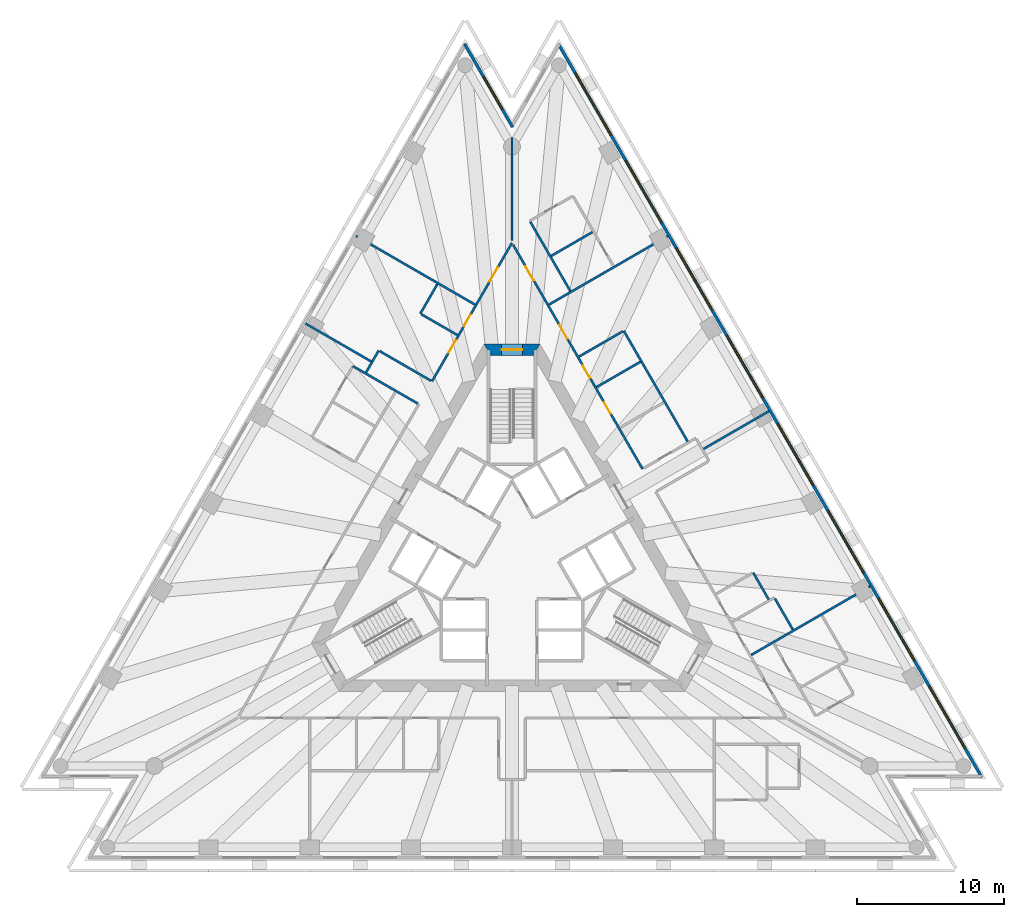
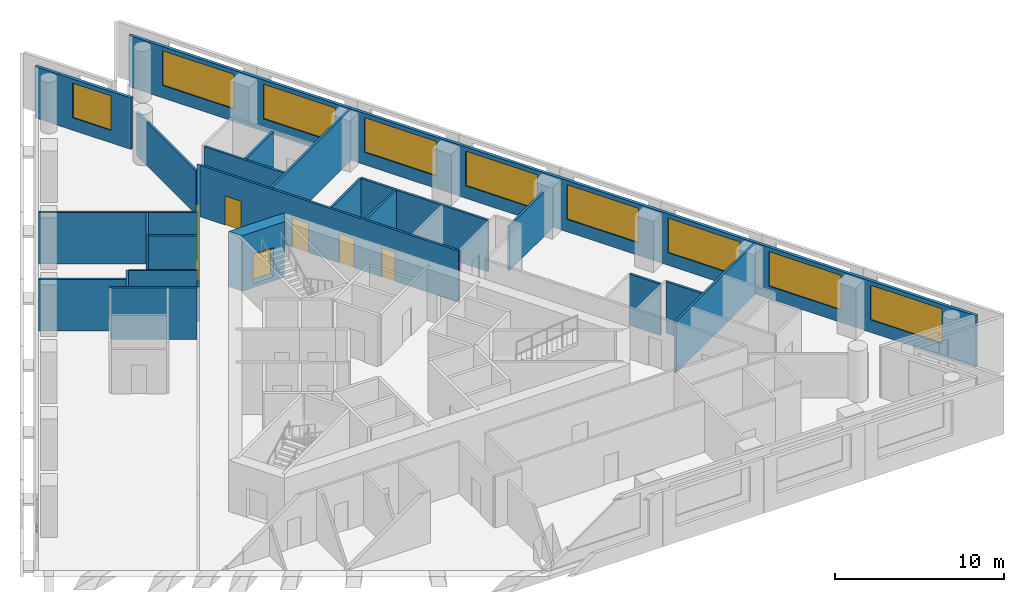
# One storey, part 6 of 10: 23 walls, 9 windows, 8 doors, 17 openings.
"""IFC4 building model written with IfcOpenShell, lengths in metres."""

from ifc_helpers import new_model, si_unit, direction, frame, frame_2d, origin, place, context, subcontext, project, spatial, polyline, rectangle, outline, extrude, material, layer, layer_set, layer_usage, type_object, element, fill, save


model = new_model("IFC4")

# Units and contexts
model_context = context("Model", 3, precision=1e-05, world=origin(), true_north=direction((0.0, 1.0)))
body_context = subcontext(model_context, "Body", "Model", "MODEL_VIEW")
ifc_project = project(units=[si_unit("LENGTHUNIT", "METRE"), si_unit("AREAUNIT", "SQUARE_METRE"), si_unit("VOLUMEUNIT", "CUBIC_METRE"), si_unit("PLANEANGLEUNIT", "RADIAN"), si_unit("MASSUNIT", "GRAM", prefix="KILO")], contexts=[model_context])

# Site, building, storey
site_placement = place(None, origin())
site = spatial("IfcSite", under=ifc_project, at=site_placement, CompositionType="ELEMENT")
building_placement = place(site_placement, origin())
building = spatial("IfcBuilding", under=site, at=building_placement, Name="Triada Interchange Tower", CompositionType="ELEMENT")
storey_placement = place(building_placement, frame((0.0, 0.0, 124.300048828125)))
storey = spatial("IfcBuildingStorey", under=building, at=storey_placement, Name="L28", CompositionType="ELEMENT", Elevation=124.300048828125)

# Wall, opening, door
ifc_material_1 = material(Name="Concrete C60/75", Category="concrete")
ifc_layer_1 = layer(ifc_material_1, 0.800048828125)
ifc_layer_set_1 = layer_set([ifc_layer_1], Name="Core wall B 800")
wall_type_1 = type_object("IfcWallType", Name="Core wall B 800", PredefinedType="SHEAR", material=ifc_layer_set_1)
wall_1_placement = place(storey_placement, frame((1.674072265625, 14.300048828125, -0.300048828125), z_axis=(0.0, 0.0, 1.0), x_axis=(-1.0, 0.0, 0.0)))
wall_1 = element("IfcWall", 1, at=wall_1_placement, inside=storey, type_object=wall_type_1, Name="Core wall WB01 L28", PredefinedType="SHEAR", context=body_context, shape_type="SweptSolid", body=[
    extrude(outline(polyline([(-0.23095703125, -0.39990234375), (1.674072265625, -0.39990234375), (3.5791015625, -0.39990234375), (3.116943359375, 0.39990234375), (1.673828125, 0.39990234375), (0.23095703125, 0.39990234375), (-0.23095703125, -0.39990234375)])), origin(), (0.0, 0.0, 1.0), 4.0),
])
opening_1_placement = place(wall_1_placement, frame((0.97412109375, 0.0, 0.300048828125)))
opening_1 = element("IfcOpeningElement", 2, at=opening_1_placement, cuts=wall_1, Name="Opening D26-41", PredefinedType="OPENING", context=body_context, shape_type="SweptSolid", body=[
    extrude(rectangle(XDim=1.39990234375, YDim=2.10009765625, at=frame_2d((0.699951171875, 1.050048828125))), frame((0.0, 0.409912109375, 0.0), z_axis=(0.0, -1.0, 0.0), x_axis=(1.0, 0.0, 0.0)), (0.0, 0.0, 1.0), 0.820068359375),
])
ifc_material_2 = material(Name="Steel S235 door leaf", Category="steel")
door_type_1 = type_object("IfcDoorType", Name="STAIR DOOR 1400 EI2 90-C5S200", OperationType="DOUBLE_DOOR_SINGLE_SWING", PredefinedType="DOOR", material=ifc_material_2)
door_1_placement = place(opening_1_placement, origin())
door_1 = element("IfcDoor", 3, at=door_1_placement, inside=storey, type_object=door_type_1, Name="Door D26-41 L28", OperationType="DOUBLE_DOOR_SINGLE_SWING", OverallHeight=2.10009765625, OverallWidth=1.39990234375, PredefinedType="DOOR", context=body_context, shape_type="SweptSolid", body=[
    extrude(rectangle(XDim=1.39990234375, YDim=2.10009765625, at=frame_2d((0.699951171875, 1.050048828125))), frame((0.0, 0.02490234375, 0.0), z_axis=(0.0, -1.0, 0.0), x_axis=(1.0, 0.0, 0.0)), (0.0, 0.0, 1.0), 0.050048828125),
])
fill(opening_1, door_1)

# Wall, openings, windows
ifc_material_3 = material(Name="Cement board")
ifc_layer_2 = layer(ifc_material_3, 0.02001953125, Name="Cement board cladding")
ifc_material_4 = material(Name="Sheathing board")
ifc_layer_3 = layer(ifc_material_4, 0.014892578125, Name="Sheathing board")
ifc_material_5 = material(Name="Mineral wool")
ifc_layer_4 = layer(ifc_material_5, 0.14990234375, Name="Mineral wool between steel studs")
ifc_material_6 = material(Name="Gypsum board")
ifc_layer_5 = layer(ifc_material_6, 0.014892578125, Name="Plasterboard lining")
ifc_layer_set_2 = layer_set([ifc_layer_2, ifc_layer_3, ifc_layer_4, ifc_layer_5], Name="External wall 200")
ifc_layer_usage = layer_usage(ifc_layer_set_2, "AXIS2", "POSITIVE", -0.10009765625)
wall_type_2 = type_object("IfcWallType", Name="External wall 200", PredefinedType="ELEMENTEDWALL", material=ifc_layer_set_2)
wall_2_placement = place(storey_placement, frame((32.048095703125, -14.861083984375, 0.0), z_axis=(0.0, 0.0, 1.0), x_axis=(-0.499996704161, 0.866027306629, 0.0)))
wall_2 = element("IfcWall", 4, at=wall_2_placement, inside=storey, type_object=wall_type_2, material=ifc_layer_usage, Name="External wall L28 NE", PredefinedType="ELEMENTEDWALL", context=body_context, shape_type="SweptSolid", body=[
    extrude(rectangle(XDim=57.7685546875, YDim=0.199951171875, at=frame_2d((28.88427734375, 0.0))), origin(), (0.0, 0.0, 1.0), 3.699951171875),
])
opening_2_placement = place(wall_2_placement, frame((2.302001953125, 0.0, 0.89990234375)))
opening_2 = element("IfcOpeningElement", 5, at=opening_2_placement, cuts=wall_2, Name="Opening WB21", PredefinedType="OPENING", context=body_context, shape_type="SweptSolid", body=[
    extrude(rectangle(XDim=4.89990234375, YDim=2.5, at=frame_2d((2.449951171875, 1.25))), frame((0.0, 0.10986328125, 0.0), z_axis=(0.0, -1.0, 0.0), x_axis=(1.0, 0.0, 0.0)), (0.0, 0.0, 1.0), 0.219970703125),
])
opening_3_placement = place(wall_2_placement, frame((9.198974609375, 0.0, 0.89990234375)))
opening_3 = element("IfcOpeningElement", 6, at=opening_3_placement, cuts=wall_2, Name="Opening WB22", PredefinedType="OPENING", context=body_context, shape_type="SweptSolid", body=[
    extrude(rectangle(XDim=4.89990234375, YDim=2.5, at=frame_2d((2.449951171875, 1.25))), frame((0.0, 0.10986328125, 0.0), z_axis=(0.0, -1.0, 0.0), x_axis=(1.0, 0.0, 0.0)), (0.0, 0.0, 1.0), 0.219970703125),
])
opening_4_placement = place(wall_2_placement, frame((16.096923828125, 0.0, 0.89990234375)))
opening_4 = element("IfcOpeningElement", 7, at=opening_4_placement, cuts=wall_2, Name="Opening WB23", PredefinedType="OPENING", context=body_context, shape_type="SweptSolid", body=[
    extrude(rectangle(XDim=4.89990234375, YDim=2.5, at=frame_2d((2.449951171875, 1.25))), frame((0.0, 0.10986328125, 0.0), z_axis=(0.0, -1.0, 0.0), x_axis=(1.0, 0.0, 0.0)), (0.0, 0.0, 1.0), 0.219970703125),
])
opening_5_placement = place(wall_2_placement, frame((22.9951171875, 0.0, 0.89990234375)))
opening_5 = element("IfcOpeningElement", 8, at=opening_5_placement, cuts=wall_2, Name="Opening WB24", PredefinedType="OPENING", context=body_context, shape_type="SweptSolid", body=[
    extrude(rectangle(XDim=4.89990234375, YDim=2.5, at=frame_2d((2.449951171875, 1.25))), frame((0.0, 0.10986328125, 0.0), z_axis=(0.0, -1.0, 0.0), x_axis=(1.0, 0.0, 0.0)), (0.0, 0.0, 1.0), 0.219970703125),
])
opening_6_placement = place(wall_2_placement, frame((29.89306640625, 0.0, 0.89990234375)))
opening_6 = element("IfcOpeningElement", 9, at=opening_6_placement, cuts=wall_2, Name="Opening WB25", PredefinedType="OPENING", context=body_context, shape_type="SweptSolid", body=[
    extrude(rectangle(XDim=4.89990234375, YDim=2.5, at=frame_2d((2.449951171875, 1.25))), frame((0.0, 0.10986328125, 0.0), z_axis=(0.0, -1.0, 0.0), x_axis=(1.0, 0.0, 0.0)), (0.0, 0.0, 1.0), 0.219970703125),
])
opening_7_placement = place(wall_2_placement, frame((36.791015625, 0.0, 0.89990234375)))
opening_7 = element("IfcOpeningElement", 10, at=opening_7_placement, cuts=wall_2, Name="Opening WB26", PredefinedType="OPENING", context=body_context, shape_type="SweptSolid", body=[
    extrude(rectangle(XDim=4.89990234375, YDim=2.5, at=frame_2d((2.449951171875, 1.25))), frame((0.0, 0.10986328125, 0.0), z_axis=(0.0, -1.0, 0.0), x_axis=(1.0, 0.0, 0.0)), (0.0, 0.0, 1.0), 0.219970703125),
])
opening_8_placement = place(wall_2_placement, frame((43.68896484375, 0.0, 0.89990234375)))
opening_8 = element("IfcOpeningElement", 11, at=opening_8_placement, cuts=wall_2, Name="Opening WB27", PredefinedType="OPENING", context=body_context, shape_type="SweptSolid", body=[
    extrude(rectangle(XDim=4.89990234375, YDim=2.5, at=frame_2d((2.449951171875, 1.25))), frame((0.0, 0.10986328125, 0.0), z_axis=(0.0, -1.0, 0.0), x_axis=(1.0, 0.0, 0.0)), (0.0, 0.0, 1.0), 0.219970703125),
])
opening_9_placement = place(wall_2_placement, frame((50.5869140625, 0.0, 0.89990234375)))
opening_9 = element("IfcOpeningElement", 12, at=opening_9_placement, cuts=wall_2, Name="Opening WB28", PredefinedType="OPENING", context=body_context, shape_type="SweptSolid", body=[
    extrude(rectangle(XDim=4.89990234375, YDim=2.5, at=frame_2d((2.449951171875, 1.25))), frame((0.0, 0.10986328125, 0.0), z_axis=(0.0, -1.0, 0.0), x_axis=(1.0, 0.0, 0.0)), (0.0, 0.0, 1.0), 0.219970703125),
])
ifc_material_7 = material(Name="Double glazed aluminium window", Category="aluminium")
window_type_1 = type_object("IfcWindowType", Name="Ribbon window B face", PartitioningType="SINGLE_PANEL", PredefinedType="WINDOW", material=ifc_material_7)
window_1_placement = place(opening_2_placement, origin())
window_1 = element("IfcWindow", 13, at=window_1_placement, inside=storey, type_object=window_type_1, Name="Window L28 NE 1", OverallHeight=2.5, OverallWidth=4.89990234375, PartitioningType="SINGLE_PANEL", PredefinedType="WINDOW", context=body_context, shape_type="SweptSolid", body=[
    extrude(rectangle(XDim=4.89990234375, YDim=2.5, at=frame_2d((2.449951171875, 1.25))), frame((0.0, 0.030029296875, 0.0), z_axis=(0.0, -1.0, 0.0), x_axis=(1.0, 0.0, 0.0)), (0.0, 0.0, 1.0), 0.06005859375),
])
fill(opening_2, window_1)
window_2_placement = place(opening_3_placement, origin())
window_2 = element("IfcWindow", 14, at=window_2_placement, inside=storey, type_object=window_type_1, Name="Window L28 NE 2", OverallHeight=2.5, OverallWidth=4.89990234375, PartitioningType="SINGLE_PANEL", PredefinedType="WINDOW", context=body_context, shape_type="SweptSolid", body=[
    extrude(rectangle(XDim=4.89990234375, YDim=2.5, at=frame_2d((2.449951171875, 1.25))), frame((0.0, 0.030029296875, 0.0), z_axis=(0.0, -1.0, 0.0), x_axis=(1.0, 0.0, 0.0)), (0.0, 0.0, 1.0), 0.06005859375),
])
fill(opening_3, window_2)
window_3_placement = place(opening_4_placement, origin())
window_3 = element("IfcWindow", 15, at=window_3_placement, inside=storey, type_object=window_type_1, Name="Window L28 NE 3", OverallHeight=2.5, OverallWidth=4.89990234375, PartitioningType="SINGLE_PANEL", PredefinedType="WINDOW", context=body_context, shape_type="SweptSolid", body=[
    extrude(rectangle(XDim=4.89990234375, YDim=2.5, at=frame_2d((2.449951171875, 1.25))), frame((0.0, 0.030029296875, 0.0), z_axis=(0.0, -1.0, 0.0), x_axis=(1.0, 0.0, 0.0)), (0.0, 0.0, 1.0), 0.06005859375),
])
fill(opening_4, window_3)
window_4_placement = place(opening_5_placement, origin())
window_4 = element("IfcWindow", 16, at=window_4_placement, inside=storey, type_object=window_type_1, Name="Window L28 NE 4", OverallHeight=2.5, OverallWidth=4.89990234375, PartitioningType="SINGLE_PANEL", PredefinedType="WINDOW", context=body_context, shape_type="SweptSolid", body=[
    extrude(rectangle(XDim=4.89990234375, YDim=2.5, at=frame_2d((2.449951171875, 1.25))), frame((0.0, 0.030029296875, 0.0), z_axis=(0.0, -1.0, 0.0), x_axis=(1.0, 0.0, 0.0)), (0.0, 0.0, 1.0), 0.06005859375),
])
fill(opening_5, window_4)
window_5_placement = place(opening_6_placement, origin())
window_5 = element("IfcWindow", 17, at=window_5_placement, inside=storey, type_object=window_type_1, Name="Window L28 NE 5", OverallHeight=2.5, OverallWidth=4.89990234375, PartitioningType="SINGLE_PANEL", PredefinedType="WINDOW", context=body_context, shape_type="SweptSolid", body=[
    extrude(rectangle(XDim=4.89990234375, YDim=2.5, at=frame_2d((2.449951171875, 1.25))), frame((0.0, 0.030029296875, 0.0), z_axis=(0.0, -1.0, 0.0), x_axis=(1.0, 0.0, 0.0)), (0.0, 0.0, 1.0), 0.06005859375),
])
fill(opening_6, window_5)
window_6_placement = place(opening_7_placement, origin())
window_6 = element("IfcWindow", 18, at=window_6_placement, inside=storey, type_object=window_type_1, Name="Window L28 NE 6", OverallHeight=2.5, OverallWidth=4.89990234375, PartitioningType="SINGLE_PANEL", PredefinedType="WINDOW", context=body_context, shape_type="SweptSolid", body=[
    extrude(rectangle(XDim=4.89990234375, YDim=2.5, at=frame_2d((2.449951171875, 1.25))), frame((0.0, 0.030029296875, 0.0), z_axis=(0.0, -1.0, 0.0), x_axis=(1.0, 0.0, 0.0)), (0.0, 0.0, 1.0), 0.06005859375),
])
fill(opening_7, window_6)
window_7_placement = place(opening_8_placement, origin())
window_7 = element("IfcWindow", 19, at=window_7_placement, inside=storey, type_object=window_type_1, Name="Window L28 NE 7", OverallHeight=2.5, OverallWidth=4.89990234375, PartitioningType="SINGLE_PANEL", PredefinedType="WINDOW", context=body_context, shape_type="SweptSolid", body=[
    extrude(rectangle(XDim=4.89990234375, YDim=2.5, at=frame_2d((2.449951171875, 1.25))), frame((0.0, 0.030029296875, 0.0), z_axis=(0.0, -1.0, 0.0), x_axis=(1.0, 0.0, 0.0)), (0.0, 0.0, 1.0), 0.06005859375),
])
fill(opening_8, window_7)
window_8_placement = place(opening_9_placement, origin())
window_8 = element("IfcWindow", 20, at=window_8_placement, inside=storey, type_object=window_type_1, Name="Window L28 NE 8", OverallHeight=2.5, OverallWidth=4.89990234375, PartitioningType="SINGLE_PANEL", PredefinedType="WINDOW", context=body_context, shape_type="SweptSolid", body=[
    extrude(rectangle(XDim=4.89990234375, YDim=2.5, at=frame_2d((2.449951171875, 1.25))), frame((0.0, 0.030029296875, 0.0), z_axis=(0.0, -1.0, 0.0), x_axis=(1.0, 0.0, 0.0)), (0.0, 0.0, 1.0), 0.06005859375),
])
fill(opening_9, window_8)

# Wall, opening, window
wall_3_placement = place(storey_placement, frame((0.044921875, 29.487060546875, 0.0), z_axis=(0.0, 0.0, 1.0), x_axis=(-0.499878187048, 0.866095721103, 0.0)))
wall_3 = element("IfcWall", 21, at=wall_3_placement, inside=storey, type_object=wall_type_2, material=ifc_layer_usage, Name="External wall L28 N-2", PredefinedType="ELEMENTEDWALL", context=body_context, shape_type="SweptSolid", body=[
    extrude(rectangle(XDim=6.559326171875, YDim=0.199951171875, at=frame_2d((3.27978515625, 0.0))), origin(), (0.0, 0.0, 1.0), 3.699951171875),
])
opening_10_placement = place(wall_3_placement, frame((1.389892578125, 0.0, 0.89990234375)))
opening_10 = element("IfcOpeningElement", 22, at=opening_10_placement, cuts=wall_3, Name="Opening WB30", PredefinedType="OPENING", context=body_context, shape_type="SweptSolid", body=[
    extrude(rectangle(XDim=2.60009765625, YDim=2.5, at=frame_2d((1.300048828125, 1.25))), frame((0.0, 0.10986328125, 0.0), z_axis=(0.0, -1.0, 0.0), x_axis=(1.0, 0.0, 0.0)), (0.0, 0.0, 1.0), 0.219970703125),
])
window_type_2 = type_object("IfcWindowType", Name="Ribbon window B pocket", PartitioningType="SINGLE_PANEL", PredefinedType="WINDOW", material=ifc_material_7)
window_9_placement = place(opening_10_placement, origin())
window_9 = element("IfcWindow", 23, at=window_9_placement, inside=storey, type_object=window_type_2, Name="Window L28 N-2 1", OverallHeight=2.5, OverallWidth=2.60009765625, PartitioningType="SINGLE_PANEL", PredefinedType="WINDOW", context=body_context, shape_type="SweptSolid", body=[
    extrude(rectangle(XDim=2.60009765625, YDim=2.5, at=frame_2d((1.300048828125, 1.25))), frame((0.0, 0.030029296875, 0.0), z_axis=(0.0, -1.0, 0.0), x_axis=(1.0, 0.0, 0.0)), (0.0, 0.0, 1.0), 0.06005859375),
])
fill(opening_10, window_9)

# Wall
ifc_material_8 = material(Name="Gypsum board partition")
ifc_layer_6 = layer(ifc_material_8, 0.14990234375)
ifc_layer_set_3 = layer_set([ifc_layer_6], Name="PARTITION 150 EI 180")
wall_type_3 = type_object("IfcWallType", Name="PARTITION 150 EI 180", PredefinedType="PARTITIONING", material=ifc_layer_set_3)
wall_4_placement = place(storey_placement, frame((13.054931640625, 7.5380859375, 0.0), z_axis=(0.0, 0.0, 1.0), x_axis=(0.866048717436, 0.499959617396, 0.0)))
element("IfcWall", 24, at=wall_4_placement, inside=storey, type_object=wall_type_3, Name="Wall L26 2", PredefinedType="PARTITIONING", context=body_context, shape_type="SweptSolid", body=[
    extrude(rectangle(XDim=5.16845703125, YDim=0.14990234375, at=frame_2d((2.584228515625, 0.0))), origin(), (0.0, 0.0, 1.0), 3.199951171875),
])

# Wall, openings, doors
wall_5_placement = place(storey_placement, frame((-5.4541015625, 12.154052734375, 0.0), z_axis=(0.0, 0.0, 1.0), x_axis=(0.500029221456, 0.866008532111, 0.0)))
wall_5 = element("IfcWall", 25, at=wall_5_placement, inside=storey, type_object=wall_type_3, Name="Wall L26 6", PredefinedType="PARTITIONING", context=body_context, shape_type="SweptSolid", body=[
    extrude(rectangle(XDim=10.907470703125, YDim=0.14990234375, at=frame_2d((5.45361328125, 0.0))), origin(), (0.0, 0.0, 1.0), 3.699951171875),
])
opening_11_placement = place(wall_5_placement, frame((7.85693359375, 0.0, 0.0)))
opening_11 = element("IfcOpeningElement", 26, at=opening_11_placement, cuts=wall_5, Name="Opening D26-34", PredefinedType="OPENING", context=body_context, shape_type="SweptSolid", body=[
    extrude(rectangle(XDim=1.10009765625, YDim=2.10009765625, at=frame_2d((0.550048828125, 1.050048828125))), frame((0.0, 0.0849609375, 0.0), z_axis=(0.0, -1.0, 0.0), x_axis=(1.0, 0.0, 0.0)), (0.0, 0.0, 1.0), 0.169921875),
])
opening_12_placement = place(wall_5_placement, frame((2.248046875, 0.0, 0.0)))
opening_12 = element("IfcOpeningElement", 27, at=opening_12_placement, cuts=wall_5, Name="Opening D26-35", PredefinedType="OPENING", context=body_context, shape_type="SweptSolid", body=[
    extrude(rectangle(XDim=1.0, YDim=2.10009765625, at=frame_2d((0.5, 1.050048828125))), frame((0.0, 0.0849609375, 0.0), z_axis=(0.0, -1.0, 0.0), x_axis=(1.0, 0.0, 0.0)), (0.0, 0.0, 1.0), 0.169921875),
])
opening_13_placement = place(wall_5_placement, frame((4.347900390625, 0.0, 0.0)))
opening_13 = element("IfcOpeningElement", 28, at=opening_13_placement, cuts=wall_5, Name="Opening D26-36", PredefinedType="OPENING", context=body_context, shape_type="SweptSolid", body=[
    extrude(rectangle(XDim=0.89990234375, YDim=2.10009765625, at=frame_2d((0.449951171875, 1.050048828125))), frame((0.0, 0.0849609375, 0.0), z_axis=(0.0, -1.0, 0.0), x_axis=(1.0, 0.0, 0.0)), (0.0, 0.0, 1.0), 0.169921875),
])
door_type_2 = type_object("IfcDoorType", Name="ROOM DOOR 1000 EI2 90-C5S200", OperationType="NOTDEFINED", PredefinedType="DOOR", material=ifc_material_2)
door_2_placement = place(opening_12_placement, origin())
door_2 = element("IfcDoor", 29, at=door_2_placement, inside=storey, type_object=door_type_2, Name="Door D26-35 L28", OperationType="SINGLE_SWING_LEFT", OverallHeight=2.10009765625, OverallWidth=1.0, PredefinedType="DOOR", context=body_context, shape_type="SweptSolid", body=[
    extrude(rectangle(XDim=1.0, YDim=2.10009765625, at=frame_2d((0.5, 1.050048828125))), frame((0.0, 0.02490234375, 0.0), z_axis=(0.0, -1.0, 0.0), x_axis=(1.0, 0.0, 0.0)), (0.0, 0.0, 1.0), 0.050048828125),
])
fill(opening_12, door_2)
door_type_3 = type_object("IfcDoorType", Name="SERVICE DOOR 900 EI2 90-C5S200", OperationType="NOTDEFINED", PredefinedType="DOOR", material=ifc_material_2)
door_3_placement = place(opening_13_placement, origin())
door_3 = element("IfcDoor", 30, at=door_3_placement, inside=storey, type_object=door_type_3, Name="Door D26-36 L28", OperationType="SINGLE_SWING_LEFT", OverallHeight=2.10009765625, OverallWidth=0.89990234375, PredefinedType="DOOR", context=body_context, shape_type="SweptSolid", body=[
    extrude(rectangle(XDim=0.89990234375, YDim=2.10009765625, at=frame_2d((0.449951171875, 1.050048828125))), frame((0.0, 0.02490234375, 0.0), z_axis=(0.0, -1.0, 0.0), x_axis=(1.0, 0.0, 0.0)), (0.0, 0.0, 1.0), 0.050048828125),
])
fill(opening_13, door_3)
door_type_4 = type_object("IfcDoorType", Name="TENANCY ENTRANCE DOOR 1100 EI2 90-C5S200", OperationType="NOTDEFINED", PredefinedType="DOOR", material=ifc_material_2)
door_4_placement = place(opening_11_placement, origin())
door_4 = element("IfcDoor", 31, at=door_4_placement, inside=storey, type_object=door_type_4, Name="Door D26-34 L28", OperationType="SINGLE_SWING_RIGHT", OverallHeight=2.10009765625, OverallWidth=1.10009765625, PredefinedType="DOOR", context=body_context, shape_type="SweptSolid", body=[
    extrude(rectangle(XDim=1.10009765625, YDim=2.10009765625, at=frame_2d((0.550048828125, 1.050048828125))), frame((0.0, 0.02490234375, 0.0), z_axis=(0.0, -1.0, 0.0), x_axis=(1.0, 0.0, 0.0)), (0.0, 0.0, 1.0), 0.050048828125),
])
fill(opening_11, door_4)

# Walls
wall_6_placement = place(storey_placement, frame((-10.85693359375, 13.194091796875, 0.0), z_axis=(0.0, 0.0, 1.0), x_axis=(0.865999895656, -0.500044178772, 0.0)))
element("IfcWall", 32, at=wall_6_placement, inside=storey, type_object=wall_type_3, Name="Wall L26 7", PredefinedType="PARTITIONING", context=body_context, shape_type="SweptSolid", body=[
    extrude(rectangle(XDim=5.12353515625, YDim=0.14990234375, at=frame_2d((2.561767578125, 0.0))), origin(), (0.0, 0.0, 1.0), 3.699951171875),
])
wall_7_placement = place(storey_placement, frame((-9.9541015625, 12.759033203125, 0.0), z_axis=(0.0, 0.0, 1.0), x_axis=(0.500232802748, 0.865890953328, 0.0)))
element("IfcWall", 33, at=wall_7_placement, inside=storey, type_object=wall_type_3, Name="Wall L26 8", PredefinedType="PARTITIONING", context=body_context, shape_type="SweptSolid", body=[
    extrude(rectangle(XDim=1.725341796875, YDim=0.14990234375, at=frame_2d((0.86279296875, 0.0))), origin(), (0.0, 0.0, 1.0), 3.699951171875),
])
wall_8_placement = place(storey_placement, frame((-14.0830078125, 16.095947265625, 0.0), z_axis=(0.0, 0.0, 1.0), x_axis=(0.866014140959, -0.500019507279, 0.0)))
element("IfcWall", 34, at=wall_8_placement, inside=storey, type_object=wall_type_3, Name="Wall L26 9", PredefinedType="PARTITIONING", context=body_context, shape_type="SweptSolid", body=[
    extrude(rectangle(XDim=5.169677734375, YDim=0.14990234375, at=frame_2d((2.5849609375, 0.0))), origin(), (0.0, 0.0, 1.0), 3.699951171875),
])
wall_9_placement = place(storey_placement, frame((-10.634033203125, 22.070068359375, 0.0), z_axis=(0.0, 0.0, 1.0), x_axis=(0.866005502057, -0.500034469219, 0.0)))
element("IfcWall", 35, at=wall_9_placement, inside=storey, type_object=wall_type_3, Name="Wall L26 12", PredefinedType="PARTITIONING", context=body_context, shape_type="SweptSolid", body=[
    extrude(rectangle(XDim=9.369384765625, YDim=0.14990234375, at=frame_2d((4.6845703125, 0.0))), origin(), (0.0, 0.0, 1.0), 3.699951171875),
])
wall_10_placement = place(storey_placement, frame((-9.02587890625, 14.216064453125, 0.0), z_axis=(0.0, 0.0, 1.0), x_axis=(0.865914407792, -0.500192201437, 0.0)))
element("IfcWall", 36, at=wall_10_placement, inside=storey, type_object=wall_type_3, Name="Wall L26 14", PredefinedType="PARTITIONING", context=body_context, shape_type="SweptSolid", body=[
    extrude(rectangle(XDim=4.048828125, YDim=0.14990234375, at=frame_2d((2.0244140625, 0.0))), origin(), (0.0, 0.0, 1.0), 3.699951171875),
])
wall_11_placement = place(storey_placement, frame((-6.2529296875, 16.76904296875, 0.0), z_axis=(0.0, 0.0, 1.0), x_axis=(0.499719423372, 0.866187334186, 0.0)))
element("IfcWall", 37, at=wall_11_placement, inside=storey, type_object=wall_type_3, Name="Wall L26 17", PredefinedType="PARTITIONING", context=body_context, shape_type="SweptSolid", body=[
    extrude(rectangle(XDim=2.324951171875, YDim=0.14990234375, at=frame_2d((1.16259765625, 0.0))), origin(), (0.0, 0.0, 1.0), 3.699951171875),
])
wall_12_placement = place(storey_placement, frame((-6.18798828125, 16.73193359375, 0.0), z_axis=(0.0, 0.0, 1.0), x_axis=(0.866004402611, -0.500036373335, 0.0)))
element("IfcWall", 38, at=wall_12_placement, inside=storey, type_object=wall_type_3, Name="Wall L26 18", PredefinedType="PARTITIONING", context=body_context, shape_type="SweptSolid", body=[
    extrude(rectangle(XDim=2.849853515625, YDim=0.14990234375, at=frame_2d((1.4248046875, 0.0))), origin(), (0.0, 0.0, 1.0), 3.699951171875),
])
wall_13_placement = place(storey_placement, frame((0.0, 21.75, 0.0), z_axis=(0.0, 0.0, 1.0), x_axis=(0.0, 1.0, 0.0)))
element("IfcWall", 39, at=wall_13_placement, inside=storey, type_object=wall_type_3, Name="Wall L26 22", PredefinedType="PARTITIONING", context=body_context, shape_type="SweptSolid", body=[
    extrude(rectangle(XDim=7.034912109375, YDim=0.14990234375, at=frame_2d((3.517578125, 0.0))), origin(), (0.0, 0.0, 1.0), 3.14990234375),
])

# Wall, openings, doors
wall_14_placement = place(storey_placement, frame((0.075927734375, 21.468017578125, 0.0), z_axis=(0.0, 0.0, 1.0), x_axis=(0.500006592492, -0.866021597574, 0.0)))
wall_14 = element("IfcWall", 40, at=wall_14_placement, inside=storey, type_object=wall_type_3, Name="Wall L26 24", PredefinedType="PARTITIONING", context=body_context, shape_type="SweptSolid", body=[
    extrude(rectangle(XDim=17.652099609375, YDim=0.14990234375, at=frame_2d((8.826171875, 0.0))), origin(), (0.0, 0.0, 1.0), 3.699951171875),
])
opening_14_placement = place(wall_14_placement, frame((6.302978515625, 0.0, 0.0)))
opening_14 = element("IfcOpeningElement", 41, at=opening_14_placement, cuts=wall_14, Name="Opening D26-27", PredefinedType="OPENING", context=body_context, shape_type="SweptSolid", body=[
    extrude(rectangle(XDim=1.10009765625, YDim=2.10009765625, at=frame_2d((0.550048828125, 1.050048828125))), frame((0.0, 0.0849609375, 0.0), z_axis=(0.0, -1.0, 0.0), x_axis=(1.0, 0.0, 0.0)), (0.0, 0.0, 1.0), 0.169921875),
])
opening_15_placement = place(wall_14_placement, frame((12.403076171875, 0.0, 0.0)))
opening_15 = element("IfcOpeningElement", 42, at=opening_15_placement, cuts=wall_14, Name="Opening D26-29", PredefinedType="OPENING", context=body_context, shape_type="SweptSolid", body=[
    extrude(rectangle(XDim=0.89990234375, YDim=2.10009765625, at=frame_2d((0.449951171875, 1.050048828125))), frame((0.0, 0.0849609375, 0.0), z_axis=(0.0, -1.0, 0.0), x_axis=(1.0, 0.0, 0.0)), (0.0, 0.0, 1.0), 0.169921875),
])
opening_16_placement = place(wall_14_placement, frame((9.5029296875, 0.0, 0.0)))
opening_16 = element("IfcOpeningElement", 43, at=opening_16_placement, cuts=wall_14, Name="Opening D26-30", PredefinedType="OPENING", context=body_context, shape_type="SweptSolid", body=[
    extrude(rectangle(XDim=1.0, YDim=2.10009765625, at=frame_2d((0.5, 1.050048828125))), frame((0.0, 0.0849609375, 0.0), z_axis=(0.0, -1.0, 0.0), x_axis=(1.0, 0.0, 0.0)), (0.0, 0.0, 1.0), 0.169921875),
])
opening_17_placement = place(wall_14_placement, frame((1.7080078125, 0.0, 0.0)))
opening_17 = element("IfcOpeningElement", 44, at=opening_17_placement, cuts=wall_14, Name="Opening D26-31", PredefinedType="OPENING", context=body_context, shape_type="SweptSolid", body=[
    extrude(rectangle(XDim=1.10009765625, YDim=2.10009765625, at=frame_2d((0.550048828125, 1.050048828125))), frame((0.0, 0.0849609375, 0.0), z_axis=(0.0, -1.0, 0.0), x_axis=(1.0, 0.0, 0.0)), (0.0, 0.0, 1.0), 0.169921875),
])
door_5_placement = place(opening_16_placement, origin())
door_5 = element("IfcDoor", 45, at=door_5_placement, inside=storey, type_object=door_type_2, Name="Door D26-30 L28", OperationType="SINGLE_SWING_RIGHT", OverallHeight=2.10009765625, OverallWidth=1.0, PredefinedType="DOOR", context=body_context, shape_type="SweptSolid", body=[
    extrude(rectangle(XDim=1.0, YDim=2.10009765625, at=frame_2d((0.5, 1.050048828125))), frame((0.0, 0.02490234375, 0.0), z_axis=(0.0, -1.0, 0.0), x_axis=(1.0, 0.0, 0.0)), (0.0, 0.0, 1.0), 0.050048828125),
])
fill(opening_16, door_5)
door_type_5 = type_object("IfcDoorType", Name="ROOM DOOR 900 EI2 90-C5S200", OperationType="NOTDEFINED", PredefinedType="DOOR", material=ifc_material_2)
door_6_placement = place(opening_15_placement, origin())
door_6 = element("IfcDoor", 46, at=door_6_placement, inside=storey, type_object=door_type_5, Name="Door D26-29 L28", OperationType="SINGLE_SWING_LEFT", OverallHeight=2.10009765625, OverallWidth=0.89990234375, PredefinedType="DOOR", context=body_context, shape_type="SweptSolid", body=[
    extrude(rectangle(XDim=0.89990234375, YDim=2.10009765625, at=frame_2d((0.449951171875, 1.050048828125))), frame((0.0, 0.02490234375, 0.0), z_axis=(0.0, -1.0, 0.0), x_axis=(1.0, 0.0, 0.0)), (0.0, 0.0, 1.0), 0.050048828125),
])
fill(opening_15, door_6)
door_7_placement = place(opening_14_placement, origin())
door_7 = element("IfcDoor", 47, at=door_7_placement, inside=storey, type_object=door_type_4, Name="Door D26-27 L28", OperationType="SINGLE_SWING_LEFT", OverallHeight=2.10009765625, OverallWidth=1.10009765625, PredefinedType="DOOR", context=body_context, shape_type="SweptSolid", body=[
    extrude(rectangle(XDim=1.10009765625, YDim=2.10009765625, at=frame_2d((0.550048828125, 1.050048828125))), frame((0.0, 0.02490234375, 0.0), z_axis=(0.0, -1.0, 0.0), x_axis=(1.0, 0.0, 0.0)), (0.0, 0.0, 1.0), 0.050048828125),
])
fill(opening_14, door_7)
door_8_placement = place(opening_17_placement, origin())
door_8 = element("IfcDoor", 48, at=door_8_placement, inside=storey, type_object=door_type_4, Name="Door D26-31 L28", OperationType="SINGLE_SWING_LEFT", OverallHeight=2.10009765625, OverallWidth=1.10009765625, PredefinedType="DOOR", context=body_context, shape_type="SweptSolid", body=[
    extrude(rectangle(XDim=1.10009765625, YDim=2.10009765625, at=frame_2d((0.550048828125, 1.050048828125))), frame((0.0, 0.02490234375, 0.0), z_axis=(0.0, -1.0, 0.0), x_axis=(1.0, 0.0, 0.0)), (0.0, 0.0, 1.0), 0.050048828125),
])
fill(opening_17, door_8)

# Walls
wall_15_placement = place(storey_placement, frame((2.52001953125, 17.385009765625, 0.0), z_axis=(0.0, 0.0, 1.0), x_axis=(0.866005502057, 0.500034469219, 0.0)))
element("IfcWall", 49, at=wall_15_placement, inside=storey, type_object=wall_type_3, Name="Wall L26 26", PredefinedType="PARTITIONING", context=body_context, shape_type="SweptSolid", body=[
    extrude(rectangle(XDim=9.369384765625, YDim=0.14990234375, at=frame_2d((4.6845703125, 0.0))), origin(), (0.0, 0.0, 1.0), 3.699951171875),
])
wall_16_placement = place(storey_placement, frame((7.62109375, 15.60107421875, 0.0), z_axis=(0.0, 0.0, 1.0), x_axis=(0.499937230245, -0.866061640887, 0.0)))
element("IfcWall", 50, at=wall_16_placement, inside=storey, type_object=wall_type_3, Name="Wall L26 27", PredefinedType="PARTITIONING", context=body_context, shape_type="SweptSolid", body=[
    extrude(rectangle(XDim=8.724609375, YDim=0.14990234375, at=frame_2d((4.3623046875, 0.0))), origin(), (0.0, 0.0, 1.0), 3.699951171875),
])
wall_17_placement = place(storey_placement, frame((4.568115234375, 13.837890625, 0.0), z_axis=(0.0, 0.0, 1.0), x_axis=(0.866013532718, 0.500020560727, 0.0)))
element("IfcWall", 51, at=wall_17_placement, inside=storey, type_object=wall_type_3, Name="Wall L26 28", PredefinedType="PARTITIONING", context=body_context, shape_type="SweptSolid", body=[
    extrude(rectangle(XDim=3.449951171875, YDim=0.14990234375, at=frame_2d((1.72509765625, 0.0))), origin(), (0.0, 0.0, 1.0), 3.699951171875),
])
wall_18_placement = place(storey_placement, frame((5.76806640625, 11.760009765625, 0.0), z_axis=(0.0, 0.0, 1.0), x_axis=(0.866031223622, 0.49998991961, 0.0)))
element("IfcWall", 52, at=wall_18_placement, inside=storey, type_object=wall_type_3, Name="Wall L26 29", PredefinedType="PARTITIONING", context=body_context, shape_type="SweptSolid", body=[
    extrude(rectangle(XDim=3.4501953125, YDim=0.14990234375, at=frame_2d((1.72509765625, 0.0))), origin(), (0.0, 0.0, 1.0), 3.699951171875),
])
wall_19_placement = place(storey_placement, frame((16.448974609375, -0.89111328125, 0.0), z_axis=(0.0, 0.0, 1.0), x_axis=(0.500266112279, -0.865871709265, 0.0)))
element("IfcWall", 53, at=wall_19_placement, inside=storey, type_object=wall_type_3, Name="Wall L26 35", PredefinedType="PARTITIONING", context=body_context, shape_type="SweptSolid", body=[
    extrude(rectangle(XDim=2.124755859375, YDim=0.14990234375, at=frame_2d((1.0625, 0.0))), origin(), (0.0, 0.0, 1.0), 3.699951171875),
])
wall_20_placement = place(storey_placement, frame((16.31591796875, -6.510009765625, 0.0), z_axis=(0.0, 0.0, 1.0), x_axis=(0.866024577697, 0.500001430823, 0.0)))
element("IfcWall", 54, at=wall_20_placement, inside=storey, type_object=wall_type_3, Name="Wall L26 38", PredefinedType="PARTITIONING", context=body_context, shape_type="SweptSolid", body=[
    extrude(rectangle(XDim=9.3681640625, YDim=0.14990234375, at=frame_2d((4.68408203125, 0.0))), origin(), (0.0, 0.0, 1.0), 3.699951171875),
])
wall_21_placement = place(storey_placement, frame((17.93310546875, -2.660888671875, 0.0), z_axis=(0.0, 0.0, 1.0), x_axis=(0.499900713578, -0.866082719239, 0.0)))
element("IfcWall", 55, at=wall_21_placement, inside=storey, type_object=wall_type_3, Name="Wall L26 39", PredefinedType="PARTITIONING", context=body_context, shape_type="SweptSolid", body=[
    extrude(rectangle(XDim=2.4501953125, YDim=0.14990234375, at=frame_2d((1.22509765625, 0.0))), origin(), (0.0, 0.0, 1.0), 3.699951171875),
])
ifc_layer_7 = layer(ifc_material_8, 0.14990234375)
ifc_layer_set_4 = layer_set([ifc_layer_7], Name="PARTITION 150 EI 90")
wall_type_4 = type_object("IfcWallType", Name="PARTITION 150 EI 90", PredefinedType="PARTITIONING", material=ifc_layer_set_4)
wall_22_placement = place(storey_placement, frame((2.678955078125, 20.7099609375, 0.0), z_axis=(0.0, 0.0, 1.0), x_axis=(0.865977875238, 0.500082312822, 0.0)))
element("IfcWall", 56, at=wall_22_placement, inside=storey, type_object=wall_type_4, Name="Wall L26 46", PredefinedType="PARTITIONING", context=body_context, shape_type="SweptSolid", body=[
    extrude(rectangle(XDim=3.24951171875, YDim=0.14990234375, at=frame_2d((1.624755859375, 0.0))), origin(), (0.0, 0.0, 1.0), 3.699951171875),
])
wall_23_placement = place(storey_placement, frame((1.2509765625, 23.032958984375, 0.0), z_axis=(0.0, 0.0, 1.0), x_axis=(0.500002931134, -0.866023711487, 0.0)))
element("IfcWall", 57, at=wall_23_placement, inside=storey, type_object=wall_type_4, Name="Wall L26 49", PredefinedType="PARTITIONING", context=body_context, shape_type="SweptSolid", body=[
    extrude(rectangle(XDim=5.4501953125, YDim=0.14990234375, at=frame_2d((2.72509765625, 0.0))), origin(), (0.0, 0.0, 1.0), 3.699951171875),
])

save(model, "model.ifc")
